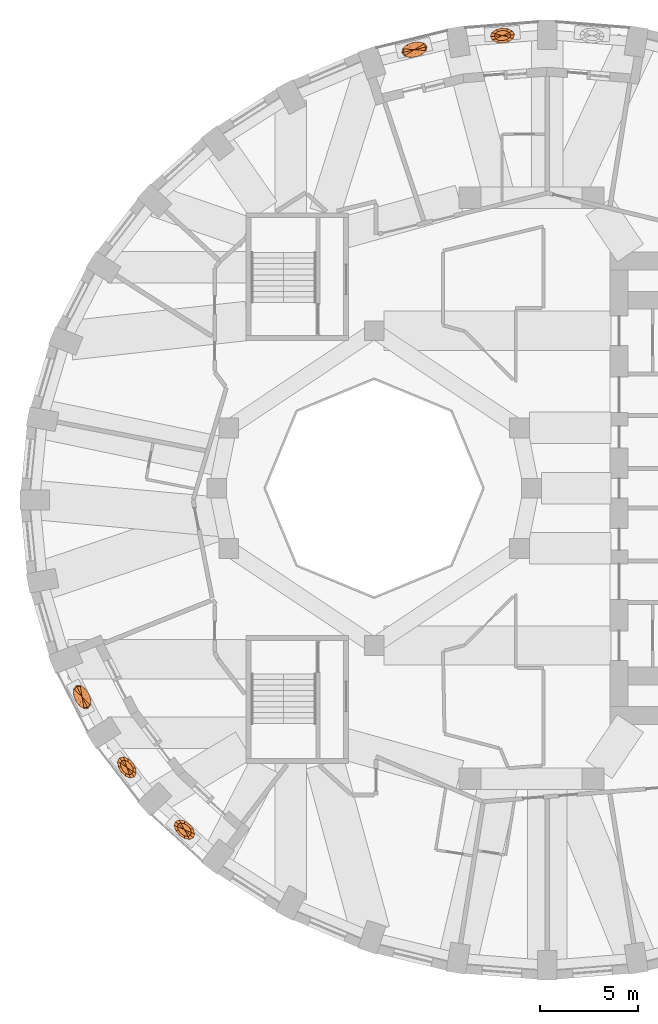
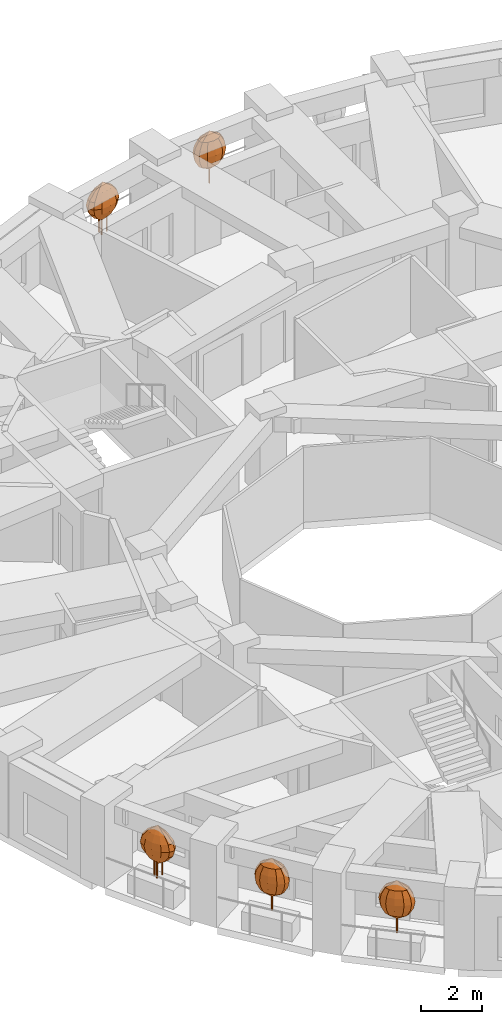
# One storey, part 11 of 12: 5 geographic elements.
"""IFC4 building model written with IfcOpenShell, lengths in metres."""

from ifc_helpers import new_model, si_unit, direction, frame, origin, place, context, subcontext, project, spatial, faceted_brep, material, constituent, constituent_set, type_object, element, save


model = new_model("IFC4")

# Units and contexts
model_context = context("Model", 3, precision=1e-05, world=origin(), true_north=direction((0.0, 1.0)))
body_context = subcontext(model_context, "Body", "Model", "MODEL_VIEW")
ifc_project = project(units=[si_unit("LENGTHUNIT", "METRE"), si_unit("AREAUNIT", "SQUARE_METRE"), si_unit("VOLUMEUNIT", "CUBIC_METRE"), si_unit("PLANEANGLEUNIT", "RADIAN"), si_unit("MASSUNIT", "GRAM", prefix="KILO")], contexts=[model_context])

# Site, building, storey
site_placement = place(None, origin())
site = spatial("IfcSite", under=ifc_project, at=site_placement, CompositionType="ELEMENT")
building_placement = place(site_placement, origin())
building = spatial("IfcBuilding", under=site, at=building_placement, Name="Taillehof Tower", CompositionType="ELEMENT")
storey_placement = place(building_placement, frame((0.0, 0.0, 88.89990234375)))
storey = spatial("IfcBuildingStorey", under=building, at=storey_placement, Name="L24", CompositionType="ELEMENT", Elevation=88.89990234375)

# Geographic elements
ifc_material_1 = material(Name="Tree bark", Category="timber")
ifc_constituent_1 = constituent(ifc_material_1, Name="Trunk", Category="timber")
ifc_material_2 = material(Name="Tree foliage")
ifc_constituent_2 = constituent(ifc_material_2, Name="Crown")
ifc_constituent_set_1 = constituent_set(constituents=[ifc_constituent_1, ifc_constituent_2], Name="Tree TR1 Columnar hornbeam")
geographic_element_type_1 = type_object("IfcGeographicElementType", Name="Tree TR1 Columnar hornbeam", PredefinedType="USERDEFINED", material=ifc_constituent_set_1)
geographic_element_1_placement = place(storey_placement, frame((-20.56689453125, -14.196044921875, 0.75)))
element("IfcGeographicElement", 1, at=geographic_element_1_placement, inside=storey, type_object=geographic_element_type_1, Name="Tree TR1 Columnar hornbeam", ObjectType="TREE", PredefinedType="USERDEFINED", context=body_context, shape_type="Brep", body=[
    faceted_brep([(0.030029296875, 0.0, 0.0), (0.021240234375, 0.021240234375, 0.0), (0.021240234375, 0.021240234375, 1.092529296875), (0.030029296875, 0.0, 1.092529296875), (0.0, 0.030029296875, 0.0), (0.0, 0.030029296875, 1.092529296875), (-0.021240234375, 0.021240234375, 0.0), (-0.021240234375, 0.021240234375, 1.092529296875), (-0.030029296875, 0.0, 0.0), (-0.030029296875, 0.0, 1.092529296875), (-0.021240234375, -0.021240234375, 0.0), (-0.021240234375, -0.021240234375, 1.092529296875), (0.0, -0.030029296875, 0.0), (0.0, -0.030029296875, 1.092529296875), (0.021240234375, -0.021240234375, 0.0), (0.021240234375, -0.021240234375, 1.092529296875)], [[[0, 1, 2, 3]], [[1, 4, 5, 2]], [[4, 6, 7, 5]], [[6, 8, 9, 7]], [[8, 10, 11, 9]], [[10, 12, 13, 11]], [[12, 14, 15, 13]], [[14, 0, 3, 15]], [[14, 12, 10, 8, 6, 4, 1, 0]], [[3, 2, 5, 7, 9, 11, 13, 15]]]),
    faceted_brep([(0.0, 0.0, 0.550048828125), (0.325927734375, -0.2099609375, 0.808349609375), (0.257568359375, -0.333984375, 0.808349609375), (0.306884765625, -0.02978515625, 0.808349609375), (0.20556640625, 0.158447265625, 0.808349609375), (0.04931640625, 0.30419921875, 0.808349609375), (-0.120361328125, 0.368408203125, 0.808349609375), (-0.257568359375, 0.333984375, 0.808349609375), (-0.325927734375, 0.2099609375, 0.808349609375), (-0.306884765625, 0.02978515625, 0.808349609375), (-0.20556640625, -0.158447265625, 0.808349609375), (-0.04931640625, -0.30419921875, 0.808349609375), (0.120361328125, -0.368408203125, 0.808349609375), (0.440673828125, -0.2841796875, 1.066650390625), (0.348388671875, -0.451904296875, 1.066650390625), (0.4150390625, -0.040283203125, 1.066650390625), (0.278076171875, 0.21435546875, 1.066650390625), (0.066650390625, 0.41162109375, 1.066650390625), (-0.16259765625, 0.49853515625, 1.066650390625), (-0.348388671875, 0.451904296875, 1.066650390625), (-0.440673828125, 0.2841796875, 1.066650390625), (-0.4150390625, 0.040283203125, 1.066650390625), (-0.278076171875, -0.21435546875, 1.066650390625), (-0.066650390625, -0.41162109375, 1.066650390625), (0.16259765625, -0.49853515625, 1.066650390625), (0.47705078125, -0.307373046875, 1.324951171875), (0.377197265625, -0.489013671875, 1.324951171875), (0.44921875, -0.04345703125, 1.324951171875), (0.301025390625, 0.23193359375, 1.324951171875), (0.072021484375, 0.445556640625, 1.324951171875), (-0.176025390625, 0.53955078125, 1.324951171875), (-0.377197265625, 0.489013671875, 1.324951171875), (-0.47705078125, 0.307373046875, 1.324951171875), (-0.44921875, 0.04345703125, 1.324951171875), (-0.301025390625, -0.23193359375, 1.324951171875), (-0.072021484375, -0.445556640625, 1.324951171875), (0.176025390625, -0.53955078125, 1.324951171875), (0.440673828125, -0.2841796875, 1.583251953125), (0.348388671875, -0.451904296875, 1.583251953125), (0.4150390625, -0.040283203125, 1.583251953125), (0.278076171875, 0.21435546875, 1.583251953125), (0.066650390625, 0.41162109375, 1.583251953125), (-0.16259765625, 0.49853515625, 1.583251953125), (-0.348388671875, 0.451904296875, 1.583251953125), (-0.440673828125, 0.2841796875, 1.583251953125), (-0.4150390625, 0.040283203125, 1.583251953125), (-0.278076171875, -0.21435546875, 1.583251953125), (-0.066650390625, -0.41162109375, 1.583251953125), (0.16259765625, -0.49853515625, 1.583251953125), (0.325927734375, -0.2099609375, 1.841552734375), (0.257568359375, -0.333984375, 1.841552734375), (0.306884765625, -0.02978515625, 1.841552734375), (0.20556640625, 0.158447265625, 1.841552734375), (0.04931640625, 0.30419921875, 1.841552734375), (-0.120361328125, 0.368408203125, 1.841552734375), (-0.257568359375, 0.333984375, 1.841552734375), (-0.325927734375, 0.2099609375, 1.841552734375), (-0.306884765625, 0.02978515625, 1.841552734375), (-0.20556640625, -0.158447265625, 1.841552734375), (-0.04931640625, -0.30419921875, 1.841552734375), (0.120361328125, -0.368408203125, 1.841552734375), (0.0, 0.0, 2.10009765625)], [[[0, 1, 2]], [[0, 3, 1]], [[0, 4, 3]], [[0, 5, 4]], [[0, 6, 5]], [[0, 7, 6]], [[0, 8, 7]], [[0, 9, 8]], [[0, 10, 9]], [[0, 11, 10]], [[0, 12, 11]], [[0, 2, 12]], [[2, 1, 13, 14]], [[1, 3, 15, 13]], [[3, 4, 16, 15]], [[4, 5, 17, 16]], [[5, 6, 18, 17]], [[6, 7, 19, 18]], [[7, 8, 20, 19]], [[8, 9, 21, 20]], [[9, 10, 22, 21]], [[10, 11, 23, 22]], [[11, 12, 24, 23]], [[12, 2, 14, 24]], [[14, 13, 25, 26]], [[13, 15, 27, 25]], [[15, 16, 28, 27]], [[16, 17, 29, 28]], [[17, 18, 30, 29]], [[18, 19, 31, 30]], [[19, 20, 32, 31]], [[20, 21, 33, 32]], [[21, 22, 34, 33]], [[22, 23, 35, 34]], [[23, 24, 36, 35]], [[24, 14, 26, 36]], [[26, 25, 37, 38]], [[25, 27, 39, 37]], [[27, 28, 40, 39]], [[28, 29, 41, 40]], [[29, 30, 42, 41]], [[30, 31, 43, 42]], [[31, 32, 44, 43]], [[32, 33, 45, 44]], [[33, 34, 46, 45]], [[34, 35, 47, 46]], [[35, 36, 48, 47]], [[36, 26, 38, 48]], [[38, 37, 49, 50]], [[37, 39, 51, 49]], [[39, 40, 52, 51]], [[40, 41, 53, 52]], [[41, 42, 54, 53]], [[42, 43, 55, 54]], [[43, 44, 56, 55]], [[44, 45, 57, 56]], [[45, 46, 58, 57]], [[46, 47, 59, 58]], [[47, 48, 60, 59]], [[48, 38, 50, 60]], [[50, 49, 61]], [[49, 51, 61]], [[51, 52, 61]], [[52, 53, 61]], [[53, 54, 61]], [[54, 55, 61]], [[55, 56, 61]], [[56, 57, 61]], [[57, 58, 61]], [[58, 59, 61]], [[59, 60, 61]], [[60, 50, 61]]]),
])
geographic_element_2_placement = place(storey_placement, frame((-17.643310546875, -17.360107421875, 0.75)))
element("IfcGeographicElement", 2, at=geographic_element_2_placement, inside=storey, type_object=geographic_element_type_1, Name="Tree TR1 Columnar hornbeam", ObjectType="TREE", PredefinedType="USERDEFINED", context=body_context, shape_type="Brep", body=[
    faceted_brep([(0.030029296875, 0.0, 0.0), (0.021240234375, 0.021240234375, 0.0), (0.021240234375, 0.021240234375, 1.092529296875), (0.030029296875, 0.0, 1.092529296875), (0.0, 0.030029296875, 0.0), (0.0, 0.030029296875, 1.092529296875), (-0.021240234375, 0.021240234375, 0.0), (-0.021240234375, 0.021240234375, 1.092529296875), (-0.030029296875, 0.0, 0.0), (-0.030029296875, 0.0, 1.092529296875), (-0.021240234375, -0.021240234375, 0.0), (-0.021240234375, -0.021240234375, 1.092529296875), (0.0, -0.030029296875, 0.0), (0.0, -0.030029296875, 1.092529296875), (0.021240234375, -0.021240234375, 0.0), (0.021240234375, -0.021240234375, 1.092529296875)], [[[0, 1, 2, 3]], [[1, 4, 5, 2]], [[4, 6, 7, 5]], [[6, 8, 9, 7]], [[8, 10, 11, 9]], [[10, 12, 13, 11]], [[12, 14, 15, 13]], [[14, 0, 3, 15]], [[14, 12, 10, 8, 6, 4, 1, 0]], [[3, 2, 5, 7, 9, 11, 13, 15]]]),
    faceted_brep([(0.0, 0.0, 0.550048828125), (0.357666015625, -0.1494140625, 0.808349609375), (0.312255859375, -0.283447265625, 0.808349609375), (0.30712890625, 0.024658203125, 0.808349609375), (0.174560546875, 0.192138671875, 0.808349609375), (-0.005126953125, 0.30810546875, 0.808349609375), (-0.18310546875, 0.341552734375, 0.808349609375), (-0.312255859375, 0.283447265625, 0.808349609375), (-0.357666015625, 0.1494140625, 0.808349609375), (-0.30712890625, -0.024658203125, 0.808349609375), (-0.174560546875, -0.192138671875, 0.808349609375), (0.005126953125, -0.30810546875, 0.808349609375), (0.18310546875, -0.341552734375, 0.808349609375), (0.48388671875, -0.2021484375, 1.066650390625), (0.42236328125, -0.383544921875, 1.066650390625), (0.41552734375, 0.033447265625, 1.066650390625), (0.236083984375, 0.260009765625, 1.066650390625), (-0.0068359375, 0.4169921875, 1.066650390625), (-0.247802734375, 0.462158203125, 1.066650390625), (-0.42236328125, 0.383544921875, 1.066650390625), (-0.48388671875, 0.2021484375, 1.066650390625), (-0.41552734375, -0.033447265625, 1.066650390625), (-0.236083984375, -0.260009765625, 1.066650390625), (0.0068359375, -0.4169921875, 1.066650390625), (0.247802734375, -0.462158203125, 1.066650390625), (0.523681640625, -0.21875, 1.324951171875), (0.457275390625, -0.4150390625, 1.324951171875), (0.44970703125, 0.0361328125, 1.324951171875), (0.25537109375, 0.28125, 1.324951171875), (-0.00732421875, 0.451171875, 1.324951171875), (-0.268310546875, 0.500244140625, 1.324951171875), (-0.457275390625, 0.4150390625, 1.324951171875), (-0.523681640625, 0.21875, 1.324951171875), (-0.44970703125, -0.0361328125, 1.324951171875), (-0.25537109375, -0.28125, 1.324951171875), (0.00732421875, -0.451171875, 1.324951171875), (0.268310546875, -0.500244140625, 1.324951171875), (0.48388671875, -0.2021484375, 1.583251953125), (0.42236328125, -0.383544921875, 1.583251953125), (0.41552734375, 0.033447265625, 1.583251953125), (0.236083984375, 0.260009765625, 1.583251953125), (-0.0068359375, 0.4169921875, 1.583251953125), (-0.247802734375, 0.462158203125, 1.583251953125), (-0.42236328125, 0.383544921875, 1.583251953125), (-0.48388671875, 0.2021484375, 1.583251953125), (-0.41552734375, -0.033447265625, 1.583251953125), (-0.236083984375, -0.260009765625, 1.583251953125), (0.0068359375, -0.4169921875, 1.583251953125), (0.247802734375, -0.462158203125, 1.583251953125), (0.357666015625, -0.1494140625, 1.841552734375), (0.312255859375, -0.283447265625, 1.841552734375), (0.30712890625, 0.024658203125, 1.841552734375), (0.174560546875, 0.192138671875, 1.841552734375), (-0.005126953125, 0.30810546875, 1.841552734375), (-0.18310546875, 0.341552734375, 1.841552734375), (-0.312255859375, 0.283447265625, 1.841552734375), (-0.357666015625, 0.1494140625, 1.841552734375), (-0.30712890625, -0.024658203125, 1.841552734375), (-0.174560546875, -0.192138671875, 1.841552734375), (0.005126953125, -0.30810546875, 1.841552734375), (0.18310546875, -0.341552734375, 1.841552734375), (0.0, 0.0, 2.10009765625)], [[[0, 1, 2]], [[0, 3, 1]], [[0, 4, 3]], [[0, 5, 4]], [[0, 6, 5]], [[0, 7, 6]], [[0, 8, 7]], [[0, 9, 8]], [[0, 10, 9]], [[0, 11, 10]], [[0, 12, 11]], [[0, 2, 12]], [[2, 1, 13, 14]], [[1, 3, 15, 13]], [[3, 4, 16, 15]], [[4, 5, 17, 16]], [[5, 6, 18, 17]], [[6, 7, 19, 18]], [[7, 8, 20, 19]], [[8, 9, 21, 20]], [[9, 10, 22, 21]], [[10, 11, 23, 22]], [[11, 12, 24, 23]], [[12, 2, 14, 24]], [[14, 13, 25, 26]], [[13, 15, 27, 25]], [[15, 16, 28, 27]], [[16, 17, 29, 28]], [[17, 18, 30, 29]], [[18, 19, 31, 30]], [[19, 20, 32, 31]], [[20, 21, 33, 32]], [[21, 22, 34, 33]], [[22, 23, 35, 34]], [[23, 24, 36, 35]], [[24, 14, 26, 36]], [[26, 25, 37, 38]], [[25, 27, 39, 37]], [[27, 28, 40, 39]], [[28, 29, 41, 40]], [[29, 30, 42, 41]], [[30, 31, 43, 42]], [[31, 32, 44, 43]], [[32, 33, 45, 44]], [[33, 34, 46, 45]], [[34, 35, 47, 46]], [[35, 36, 48, 47]], [[36, 26, 38, 48]], [[38, 37, 49, 50]], [[37, 39, 51, 49]], [[39, 40, 52, 51]], [[40, 41, 53, 52]], [[41, 42, 54, 53]], [[42, 43, 55, 54]], [[43, 44, 56, 55]], [[44, 45, 57, 56]], [[45, 46, 58, 57]], [[46, 47, 59, 58]], [[47, 48, 60, 59]], [[48, 38, 50, 60]], [[50, 49, 61]], [[49, 51, 61]], [[51, 52, 61]], [[52, 53, 61]], [[53, 54, 61]], [[54, 55, 61]], [[55, 56, 61]], [[56, 57, 61]], [[57, 58, 61]], [[58, 59, 61]], [[59, 60, 61]], [[60, 50, 61]]]),
])
geographic_element_3_placement = place(storey_placement, frame((-1.472900390625, 23.007568359375, 0.75)))
element("IfcGeographicElement", 3, at=geographic_element_3_placement, inside=storey, type_object=geographic_element_type_1, Name="Tree TR1 Columnar hornbeam", ObjectType="TREE", PredefinedType="USERDEFINED", context=body_context, shape_type="Brep", body=[
    faceted_brep([(0.030029296875, 0.0, 0.0), (0.021240234375, 0.021240234375, 0.0), (0.021240234375, 0.021240234375, 1.092529296875), (0.030029296875, 0.0, 1.092529296875), (0.0, 0.030029296875, 0.0), (0.0, 0.030029296875, 1.092529296875), (-0.021240234375, 0.021240234375, 0.0), (-0.021240234375, 0.021240234375, 1.092529296875), (-0.030029296875, 0.0, 0.0), (-0.030029296875, 0.0, 1.092529296875), (-0.021240234375, -0.021240234375, 0.0), (-0.021240234375, -0.021240234375, 1.092529296875), (0.0, -0.030029296875, 0.0), (0.0, -0.030029296875, 1.092529296875), (0.021240234375, -0.021240234375, 0.0), (0.021240234375, -0.021240234375, 1.092529296875)], [[[0, 1, 2, 3]], [[1, 4, 5, 2]], [[4, 6, 7, 5]], [[6, 8, 9, 7]], [[8, 10, 11, 9]], [[10, 12, 13, 11]], [[12, 14, 15, 13]], [[14, 0, 3, 15]], [[14, 12, 10, 8, 6, 4, 1, 0]], [[3, 2, 5, 7, 9, 11, 13, 15]]]),
    faceted_brep([(0.0, 0.0, 0.550048828125), (-0.353759765625, -0.158203125, 0.808349609375), (-0.42041015625, -0.033447265625, 0.808349609375), (-0.1923828125, -0.24072265625, 0.808349609375), (0.0205078125, -0.2587890625, 0.808349609375), (0.22802734375, -0.207275390625, 0.808349609375), (0.374267578125, -0.100341796875, 0.808349609375), (0.42041015625, 0.033447265625, 0.808349609375), (0.353759765625, 0.158203125, 0.808349609375), (0.1923828125, 0.24072265625, 0.808349609375), (-0.0205078125, 0.2587890625, 0.808349609375), (-0.22802734375, 0.207275390625, 0.808349609375), (-0.374267578125, 0.100341796875, 0.808349609375), (-0.478759765625, -0.214111328125, 1.066650390625), (-0.56884765625, -0.045166015625, 1.066650390625), (-0.26025390625, -0.32568359375, 1.066650390625), (0.02783203125, -0.35009765625, 1.066650390625), (0.308349609375, -0.280517578125, 1.066650390625), (0.50634765625, -0.135986328125, 1.066650390625), (0.56884765625, 0.045166015625, 1.066650390625), (0.478759765625, 0.214111328125, 1.066650390625), (0.26025390625, 0.32568359375, 1.066650390625), (-0.02783203125, 0.35009765625, 1.066650390625), (-0.308349609375, 0.280517578125, 1.066650390625), (-0.50634765625, 0.135986328125, 1.066650390625), (-0.51806640625, -0.231689453125, 1.324951171875), (-0.615478515625, -0.048828125, 1.324951171875), (-0.28173828125, -0.3525390625, 1.324951171875), (0.030029296875, -0.37890625, 1.324951171875), (0.333740234375, -0.3037109375, 1.324951171875), (0.548095703125, -0.14697265625, 1.324951171875), (0.615478515625, 0.048828125, 1.324951171875), (0.51806640625, 0.231689453125, 1.324951171875), (0.28173828125, 0.3525390625, 1.324951171875), (-0.030029296875, 0.37890625, 1.324951171875), (-0.333740234375, 0.3037109375, 1.324951171875), (-0.548095703125, 0.14697265625, 1.324951171875), (-0.478759765625, -0.214111328125, 1.583251953125), (-0.56884765625, -0.045166015625, 1.583251953125), (-0.26025390625, -0.32568359375, 1.583251953125), (0.02783203125, -0.35009765625, 1.583251953125), (0.308349609375, -0.280517578125, 1.583251953125), (0.50634765625, -0.135986328125, 1.583251953125), (0.56884765625, 0.045166015625, 1.583251953125), (0.478759765625, 0.214111328125, 1.583251953125), (0.26025390625, 0.32568359375, 1.583251953125), (-0.02783203125, 0.35009765625, 1.583251953125), (-0.308349609375, 0.280517578125, 1.583251953125), (-0.50634765625, 0.135986328125, 1.583251953125), (-0.353759765625, -0.158203125, 1.841552734375), (-0.42041015625, -0.033447265625, 1.841552734375), (-0.1923828125, -0.24072265625, 1.841552734375), (0.0205078125, -0.2587890625, 1.841552734375), (0.22802734375, -0.207275390625, 1.841552734375), (0.374267578125, -0.100341796875, 1.841552734375), (0.42041015625, 0.033447265625, 1.841552734375), (0.353759765625, 0.158203125, 1.841552734375), (0.1923828125, 0.24072265625, 1.841552734375), (-0.0205078125, 0.2587890625, 1.841552734375), (-0.22802734375, 0.207275390625, 1.841552734375), (-0.374267578125, 0.100341796875, 1.841552734375), (0.0, 0.0, 2.10009765625)], [[[0, 1, 2]], [[0, 3, 1]], [[0, 4, 3]], [[0, 5, 4]], [[0, 6, 5]], [[0, 7, 6]], [[0, 8, 7]], [[0, 9, 8]], [[0, 10, 9]], [[0, 11, 10]], [[0, 12, 11]], [[0, 2, 12]], [[2, 1, 13, 14]], [[1, 3, 15, 13]], [[3, 4, 16, 15]], [[4, 5, 17, 16]], [[5, 6, 18, 17]], [[6, 7, 19, 18]], [[7, 8, 20, 19]], [[8, 9, 21, 20]], [[9, 10, 22, 21]], [[10, 11, 23, 22]], [[11, 12, 24, 23]], [[12, 2, 14, 24]], [[14, 13, 25, 26]], [[13, 15, 27, 25]], [[15, 16, 28, 27]], [[16, 17, 29, 28]], [[17, 18, 30, 29]], [[18, 19, 31, 30]], [[19, 20, 32, 31]], [[20, 21, 33, 32]], [[21, 22, 34, 33]], [[22, 23, 35, 34]], [[23, 24, 36, 35]], [[24, 14, 26, 36]], [[26, 25, 37, 38]], [[25, 27, 39, 37]], [[27, 28, 40, 39]], [[28, 29, 41, 40]], [[29, 30, 42, 41]], [[30, 31, 43, 42]], [[31, 32, 44, 43]], [[32, 33, 45, 44]], [[33, 34, 46, 45]], [[34, 35, 47, 46]], [[35, 36, 48, 47]], [[36, 26, 38, 48]], [[38, 37, 49, 50]], [[37, 39, 51, 49]], [[39, 40, 52, 51]], [[40, 41, 53, 52]], [[41, 42, 54, 53]], [[42, 43, 55, 54]], [[43, 44, 56, 55]], [[44, 45, 57, 56]], [[45, 46, 58, 57]], [[46, 47, 59, 58]], [[47, 48, 60, 59]], [[48, 38, 50, 60]], [[50, 49, 61]], [[49, 51, 61]], [[51, 52, 61]], [[52, 53, 61]], [[53, 54, 61]], [[54, 55, 61]], [[55, 56, 61]], [[56, 57, 61]], [[57, 58, 61]], [[58, 59, 61]], [[59, 60, 61]], [[60, 50, 61]]]),
])
ifc_material_3 = material(Name="Tree bark", Category="timber")
ifc_constituent_3 = constituent(ifc_material_3, Name="Trunk", Category="timber")
ifc_material_4 = material(Name="Tree foliage")
ifc_constituent_4 = constituent(ifc_material_4, Name="Crown")
ifc_constituent_set_2 = constituent_set(constituents=[ifc_constituent_3, ifc_constituent_4], Name="Tree TR3 Multi-stem serviceberry")
geographic_element_type_2 = type_object("IfcGeographicElementType", Name="Tree TR3 Multi-stem serviceberry", PredefinedType="USERDEFINED", material=ifc_constituent_set_2)
geographic_element_4_placement = place(storey_placement, frame((-22.841796875, -10.618408203125, 0.75)))
element("IfcGeographicElement", 4, at=geographic_element_4_placement, inside=storey, type_object=geographic_element_type_2, Name="Tree TR3 Multi-stem serviceberry", ObjectType="TREE", PredefinedType="USERDEFINED", context=body_context, shape_type="Brep", body=[
    faceted_brep([(0.195068359375, 0.0, 0.0), (0.186767578125, 0.0205078125, 0.0), (0.186767578125, 0.0205078125, 1.04248046875), (0.195068359375, 0.0, 1.04248046875), (0.166259765625, 0.02880859375, 0.0), (0.166259765625, 0.02880859375, 1.04248046875), (0.145751953125, 0.0205078125, 0.0), (0.145751953125, 0.0205078125, 1.04248046875), (0.137451171875, 0.0, 0.0), (0.137451171875, 0.0, 1.04248046875), (0.145751953125, -0.0205078125, 0.0), (0.145751953125, -0.0205078125, 1.04248046875), (0.166259765625, -0.02880859375, 0.0), (0.166259765625, -0.02880859375, 1.04248046875), (0.186767578125, -0.0205078125, 0.0), (0.186767578125, -0.0205078125, 1.04248046875)], [[[0, 1, 2, 3]], [[1, 4, 5, 2]], [[4, 6, 7, 5]], [[6, 8, 9, 7]], [[8, 10, 11, 9]], [[10, 12, 13, 11]], [[12, 14, 15, 13]], [[14, 0, 3, 15]], [[14, 12, 10, 8, 6, 4, 1, 0]], [[3, 2, 5, 7, 9, 11, 13, 15]]]),
    faceted_brep([(-0.05419921875, 0.082275390625, 0.0), (-0.062744140625, 0.102783203125, 0.0), (-0.062744140625, 0.102783203125, 1.04248046875), (-0.05419921875, 0.082275390625, 1.04248046875), (-0.0830078125, 0.111083984375, 0.0), (-0.0830078125, 0.111083984375, 1.04248046875), (-0.103515625, 0.102783203125, 0.0), (-0.103515625, 0.102783203125, 1.04248046875), (-0.112060546875, 0.082275390625, 0.0), (-0.112060546875, 0.082275390625, 1.04248046875), (-0.103515625, 0.061767578125, 0.0), (-0.103515625, 0.061767578125, 1.04248046875), (-0.0830078125, 0.053466796875, 0.0), (-0.0830078125, 0.053466796875, 1.04248046875), (-0.062744140625, 0.061767578125, 0.0), (-0.062744140625, 0.061767578125, 1.04248046875)], [[[0, 1, 2, 3]], [[1, 4, 5, 2]], [[4, 6, 7, 5]], [[6, 8, 9, 7]], [[8, 10, 11, 9]], [[10, 12, 13, 11]], [[12, 14, 15, 13]], [[14, 0, 3, 15]], [[14, 12, 10, 8, 6, 4, 1, 0]], [[3, 2, 5, 7, 9, 11, 13, 15]]]),
    faceted_brep([(-0.05419921875, -0.082275390625, 0.0), (-0.062744140625, -0.061767578125, 0.0), (-0.062744140625, -0.061767578125, 1.04248046875), (-0.05419921875, -0.082275390625, 1.04248046875), (-0.0830078125, -0.053466796875, 0.0), (-0.0830078125, -0.053466796875, 1.04248046875), (-0.103515625, -0.061767578125, 0.0), (-0.103515625, -0.061767578125, 1.04248046875), (-0.112060546875, -0.082275390625, 0.0), (-0.112060546875, -0.082275390625, 1.04248046875), (-0.103515625, -0.102783203125, 0.0), (-0.103515625, -0.102783203125, 1.04248046875), (-0.0830078125, -0.111083984375, 0.0), (-0.0830078125, -0.111083984375, 1.04248046875), (-0.062744140625, -0.102783203125, 0.0), (-0.062744140625, -0.102783203125, 1.04248046875)], [[[0, 1, 2, 3]], [[1, 4, 5, 2]], [[4, 6, 7, 5]], [[6, 8, 9, 7]], [[8, 10, 11, 9]], [[10, 12, 13, 11]], [[12, 14, 15, 13]], [[14, 0, 3, 15]], [[14, 12, 10, 8, 6, 4, 1, 0]], [[3, 2, 5, 7, 9, 11, 13, 15]]]),
    faceted_brep([(0.0, 0.0, 0.5), (0.248291015625, -0.244384765625, 0.75830078125), (0.174560546875, -0.33984375, 0.75830078125), (0.25537109375, -0.08349609375, 0.75830078125), (0.194091796875, 0.099609375, 0.75830078125), (0.080810546875, 0.25634765625, 0.75830078125), (-0.053955078125, 0.343994140625, 0.75830078125), (-0.174560546875, 0.33984375, 0.75830078125), (-0.248291015625, 0.244384765625, 0.75830078125), (-0.25537109375, 0.08349609375, 0.75830078125), (-0.194091796875, -0.099609375, 0.75830078125), (-0.080810546875, -0.25634765625, 0.75830078125), (0.053955078125, -0.343994140625, 0.75830078125), (0.38525390625, -0.379150390625, 1.0166015625), (0.270751953125, -0.52734375, 1.0166015625), (0.396240234375, -0.129638671875, 1.0166015625), (0.30126953125, 0.15478515625, 1.0166015625), (0.12548828125, 0.397705078125, 1.0166015625), (-0.083740234375, 0.533935546875, 1.0166015625), (-0.270751953125, 0.52734375, 1.0166015625), (-0.38525390625, 0.379150390625, 1.0166015625), (-0.396240234375, 0.129638671875, 1.0166015625), (-0.30126953125, -0.15478515625, 1.0166015625), (-0.12548828125, -0.397705078125, 1.0166015625), (0.083740234375, -0.533935546875, 1.0166015625), (0.43212890625, -0.425537109375, 1.27490234375), (0.3037109375, -0.591552734375, 1.27490234375), (0.444580078125, -0.1455078125, 1.27490234375), (0.338134765625, 0.173583984375, 1.27490234375), (0.140869140625, 0.446044921875, 1.27490234375), (-0.093994140625, 0.59912109375, 1.27490234375), (-0.3037109375, 0.591552734375, 1.27490234375), (-0.43212890625, 0.425537109375, 1.27490234375), (-0.444580078125, 0.1455078125, 1.27490234375), (-0.338134765625, -0.173583984375, 1.27490234375), (-0.140869140625, -0.446044921875, 1.27490234375), (0.093994140625, -0.59912109375, 1.27490234375), (0.38525390625, -0.379150390625, 1.533447265625), (0.270751953125, -0.52734375, 1.533447265625), (0.396240234375, -0.129638671875, 1.533447265625), (0.30126953125, 0.15478515625, 1.533447265625), (0.12548828125, 0.397705078125, 1.533447265625), (-0.083740234375, 0.533935546875, 1.533447265625), (-0.270751953125, 0.52734375, 1.533447265625), (-0.38525390625, 0.379150390625, 1.533447265625), (-0.396240234375, 0.129638671875, 1.533447265625), (-0.30126953125, -0.15478515625, 1.533447265625), (-0.12548828125, -0.397705078125, 1.533447265625), (0.083740234375, -0.533935546875, 1.533447265625), (0.248291015625, -0.244384765625, 1.791748046875), (0.174560546875, -0.33984375, 1.791748046875), (0.25537109375, -0.08349609375, 1.791748046875), (0.194091796875, 0.099609375, 1.791748046875), (0.080810546875, 0.25634765625, 1.791748046875), (-0.053955078125, 0.343994140625, 1.791748046875), (-0.174560546875, 0.33984375, 1.791748046875), (-0.248291015625, 0.244384765625, 1.791748046875), (-0.25537109375, 0.08349609375, 1.791748046875), (-0.194091796875, -0.099609375, 1.791748046875), (-0.080810546875, -0.25634765625, 1.791748046875), (0.053955078125, -0.343994140625, 1.791748046875), (0.0, 0.0, 2.050048828125)], [[[0, 1, 2]], [[0, 3, 1]], [[0, 4, 3]], [[0, 5, 4]], [[0, 6, 5]], [[0, 7, 6]], [[0, 8, 7]], [[0, 9, 8]], [[0, 10, 9]], [[0, 11, 10]], [[0, 12, 11]], [[0, 2, 12]], [[2, 1, 13, 14]], [[1, 3, 15, 13]], [[3, 4, 16, 15]], [[4, 5, 17, 16]], [[5, 6, 18, 17]], [[6, 7, 19, 18]], [[7, 8, 20, 19]], [[8, 9, 21, 20]], [[9, 10, 22, 21]], [[10, 11, 23, 22]], [[11, 12, 24, 23]], [[12, 2, 14, 24]], [[14, 13, 25, 26]], [[13, 15, 27, 25]], [[15, 16, 28, 27]], [[16, 17, 29, 28]], [[17, 18, 30, 29]], [[18, 19, 31, 30]], [[19, 20, 32, 31]], [[20, 21, 33, 32]], [[21, 22, 34, 33]], [[22, 23, 35, 34]], [[23, 24, 36, 35]], [[24, 14, 26, 36]], [[26, 25, 37, 38]], [[25, 27, 39, 37]], [[27, 28, 40, 39]], [[28, 29, 41, 40]], [[29, 30, 42, 41]], [[30, 31, 43, 42]], [[31, 32, 44, 43]], [[32, 33, 45, 44]], [[33, 34, 46, 45]], [[34, 35, 47, 46]], [[35, 36, 48, 47]], [[36, 26, 38, 48]], [[38, 37, 49, 50]], [[37, 39, 51, 49]], [[39, 40, 52, 51]], [[40, 41, 53, 52]], [[41, 42, 54, 53]], [[42, 43, 55, 54]], [[43, 44, 56, 55]], [[44, 45, 57, 56]], [[45, 46, 58, 57]], [[46, 47, 59, 58]], [[47, 48, 60, 59]], [[48, 38, 50, 60]], [[50, 49, 61]], [[49, 51, 61]], [[51, 52, 61]], [[52, 53, 61]], [[53, 54, 61]], [[54, 55, 61]], [[55, 56, 61]], [[56, 57, 61]], [[57, 58, 61]], [[58, 59, 61]], [[59, 60, 61]], [[60, 50, 61]]]),
])
geographic_element_5_placement = place(storey_placement, frame((-5.94970703125, 22.290771484375, 0.75)))
element("IfcGeographicElement", 5, at=geographic_element_5_placement, inside=storey, type_object=geographic_element_type_2, Name="Tree TR3 Multi-stem serviceberry", ObjectType="TREE", PredefinedType="USERDEFINED", context=body_context, shape_type="Brep", body=[
    faceted_brep([(0.195068359375, 0.0, 0.0), (0.186767578125, 0.0205078125, 0.0), (0.186767578125, 0.0205078125, 1.04248046875), (0.195068359375, 0.0, 1.04248046875), (0.166259765625, 0.02880859375, 0.0), (0.166259765625, 0.02880859375, 1.04248046875), (0.145751953125, 0.0205078125, 0.0), (0.145751953125, 0.0205078125, 1.04248046875), (0.137451171875, 0.0, 0.0), (0.137451171875, 0.0, 1.04248046875), (0.145751953125, -0.0205078125, 0.0), (0.145751953125, -0.0205078125, 1.04248046875), (0.166259765625, -0.02880859375, 0.0), (0.166259765625, -0.02880859375, 1.04248046875), (0.186767578125, -0.0205078125, 0.0), (0.186767578125, -0.0205078125, 1.04248046875)], [[[0, 1, 2, 3]], [[1, 4, 5, 2]], [[4, 6, 7, 5]], [[6, 8, 9, 7]], [[8, 10, 11, 9]], [[10, 12, 13, 11]], [[12, 14, 15, 13]], [[14, 0, 3, 15]], [[14, 12, 10, 8, 6, 4, 1, 0]], [[3, 2, 5, 7, 9, 11, 13, 15]]]),
    faceted_brep([(-0.05419921875, 0.082275390625, 0.0), (-0.062744140625, 0.102783203125, 0.0), (-0.062744140625, 0.102783203125, 1.04248046875), (-0.05419921875, 0.082275390625, 1.04248046875), (-0.0830078125, 0.111083984375, 0.0), (-0.0830078125, 0.111083984375, 1.04248046875), (-0.103515625, 0.102783203125, 0.0), (-0.103515625, 0.102783203125, 1.04248046875), (-0.112060546875, 0.082275390625, 0.0), (-0.112060546875, 0.082275390625, 1.04248046875), (-0.103515625, 0.061767578125, 0.0), (-0.103515625, 0.061767578125, 1.04248046875), (-0.0830078125, 0.053466796875, 0.0), (-0.0830078125, 0.053466796875, 1.04248046875), (-0.062744140625, 0.061767578125, 0.0), (-0.062744140625, 0.061767578125, 1.04248046875)], [[[0, 1, 2, 3]], [[1, 4, 5, 2]], [[4, 6, 7, 5]], [[6, 8, 9, 7]], [[8, 10, 11, 9]], [[10, 12, 13, 11]], [[12, 14, 15, 13]], [[14, 0, 3, 15]], [[14, 12, 10, 8, 6, 4, 1, 0]], [[3, 2, 5, 7, 9, 11, 13, 15]]]),
    faceted_brep([(-0.05419921875, -0.082275390625, 0.0), (-0.062744140625, -0.061767578125, 0.0), (-0.062744140625, -0.061767578125, 1.04248046875), (-0.05419921875, -0.082275390625, 1.04248046875), (-0.0830078125, -0.053466796875, 0.0), (-0.0830078125, -0.053466796875, 1.04248046875), (-0.103515625, -0.061767578125, 0.0), (-0.103515625, -0.061767578125, 1.04248046875), (-0.112060546875, -0.082275390625, 0.0), (-0.112060546875, -0.082275390625, 1.04248046875), (-0.103515625, -0.102783203125, 0.0), (-0.103515625, -0.102783203125, 1.04248046875), (-0.0830078125, -0.111083984375, 0.0), (-0.0830078125, -0.111083984375, 1.04248046875), (-0.062744140625, -0.102783203125, 0.0), (-0.062744140625, -0.102783203125, 1.04248046875)], [[[0, 1, 2, 3]], [[1, 4, 5, 2]], [[4, 6, 7, 5]], [[6, 8, 9, 7]], [[8, 10, 11, 9]], [[10, 12, 13, 11]], [[12, 14, 15, 13]], [[14, 0, 3, 15]], [[14, 12, 10, 8, 6, 4, 1, 0]], [[3, 2, 5, 7, 9, 11, 13, 15]]]),
    faceted_brep([(0.0, 0.0, 0.5), (-0.295654296875, -0.184326171875, 0.75830078125), (-0.37109375, -0.09033203125, 0.75830078125), (-0.140869140625, -0.228759765625, 0.75830078125), (0.051513671875, -0.212158203125, 0.75830078125), (0.230224609375, -0.138427734375, 0.75830078125), (0.34716796875, -0.02783203125, 0.75830078125), (0.37109375, 0.09033203125, 0.75830078125), (0.295654296875, 0.184326171875, 0.75830078125), (0.140869140625, 0.228759765625, 0.75830078125), (-0.051513671875, 0.212158203125, 0.75830078125), (-0.230224609375, 0.138427734375, 0.75830078125), (-0.34716796875, 0.02783203125, 0.75830078125), (-0.458740234375, -0.285888671875, 1.0166015625), (-0.575927734375, -0.14013671875, 1.0166015625), (-0.218505859375, -0.35498046875, 1.0166015625), (0.080078125, -0.3291015625, 1.0166015625), (0.357177734375, -0.21484375, 1.0166015625), (0.538818359375, -0.043212890625, 1.0166015625), (0.575927734375, 0.14013671875, 1.0166015625), (0.458740234375, 0.285888671875, 1.0166015625), (0.218505859375, 0.35498046875, 1.0166015625), (-0.080078125, 0.3291015625, 1.0166015625), (-0.357177734375, 0.21484375, 1.0166015625), (-0.538818359375, 0.043212890625, 1.0166015625), (-0.5146484375, -0.32080078125, 1.27490234375), (-0.646240234375, -0.1572265625, 1.27490234375), (-0.245361328125, -0.3984375, 1.27490234375), (0.08984375, -0.369140625, 1.27490234375), (0.40087890625, -0.2412109375, 1.27490234375), (0.6044921875, -0.048583984375, 1.27490234375), (0.646240234375, 0.1572265625, 1.27490234375), (0.5146484375, 0.32080078125, 1.27490234375), (0.245361328125, 0.3984375, 1.27490234375), (-0.08984375, 0.369140625, 1.27490234375), (-0.40087890625, 0.2412109375, 1.27490234375), (-0.6044921875, 0.048583984375, 1.27490234375), (-0.458740234375, -0.285888671875, 1.533447265625), (-0.575927734375, -0.14013671875, 1.533447265625), (-0.218505859375, -0.35498046875, 1.533447265625), (0.080078125, -0.3291015625, 1.533447265625), (0.357177734375, -0.21484375, 1.533447265625), (0.538818359375, -0.043212890625, 1.533447265625), (0.575927734375, 0.14013671875, 1.533447265625), (0.458740234375, 0.285888671875, 1.533447265625), (0.218505859375, 0.35498046875, 1.533447265625), (-0.080078125, 0.3291015625, 1.533447265625), (-0.357177734375, 0.21484375, 1.533447265625), (-0.538818359375, 0.043212890625, 1.533447265625), (-0.295654296875, -0.184326171875, 1.791748046875), (-0.37109375, -0.09033203125, 1.791748046875), (-0.140869140625, -0.228759765625, 1.791748046875), (0.051513671875, -0.212158203125, 1.791748046875), (0.230224609375, -0.138427734375, 1.791748046875), (0.34716796875, -0.02783203125, 1.791748046875), (0.37109375, 0.09033203125, 1.791748046875), (0.295654296875, 0.184326171875, 1.791748046875), (0.140869140625, 0.228759765625, 1.791748046875), (-0.051513671875, 0.212158203125, 1.791748046875), (-0.230224609375, 0.138427734375, 1.791748046875), (-0.34716796875, 0.02783203125, 1.791748046875), (0.0, 0.0, 2.050048828125)], [[[0, 1, 2]], [[0, 3, 1]], [[0, 4, 3]], [[0, 5, 4]], [[0, 6, 5]], [[0, 7, 6]], [[0, 8, 7]], [[0, 9, 8]], [[0, 10, 9]], [[0, 11, 10]], [[0, 12, 11]], [[0, 2, 12]], [[2, 1, 13, 14]], [[1, 3, 15, 13]], [[3, 4, 16, 15]], [[4, 5, 17, 16]], [[5, 6, 18, 17]], [[6, 7, 19, 18]], [[7, 8, 20, 19]], [[8, 9, 21, 20]], [[9, 10, 22, 21]], [[10, 11, 23, 22]], [[11, 12, 24, 23]], [[12, 2, 14, 24]], [[14, 13, 25, 26]], [[13, 15, 27, 25]], [[15, 16, 28, 27]], [[16, 17, 29, 28]], [[17, 18, 30, 29]], [[18, 19, 31, 30]], [[19, 20, 32, 31]], [[20, 21, 33, 32]], [[21, 22, 34, 33]], [[22, 23, 35, 34]], [[23, 24, 36, 35]], [[24, 14, 26, 36]], [[26, 25, 37, 38]], [[25, 27, 39, 37]], [[27, 28, 40, 39]], [[28, 29, 41, 40]], [[29, 30, 42, 41]], [[30, 31, 43, 42]], [[31, 32, 44, 43]], [[32, 33, 45, 44]], [[33, 34, 46, 45]], [[34, 35, 47, 46]], [[35, 36, 48, 47]], [[36, 26, 38, 48]], [[38, 37, 49, 50]], [[37, 39, 51, 49]], [[39, 40, 52, 51]], [[40, 41, 53, 52]], [[41, 42, 54, 53]], [[42, 43, 55, 54]], [[43, 44, 56, 55]], [[44, 45, 57, 56]], [[45, 46, 58, 57]], [[46, 47, 59, 58]], [[47, 48, 60, 59]], [[48, 38, 50, 60]], [[50, 49, 61]], [[49, 51, 61]], [[51, 52, 61]], [[52, 53, 61]], [[53, 54, 61]], [[54, 55, 61]], [[55, 56, 61]], [[56, 57, 61]], [[57, 58, 61]], [[58, 59, 61]], [[59, 60, 61]], [[60, 50, 61]]]),
])

save(model, "model.ifc")
